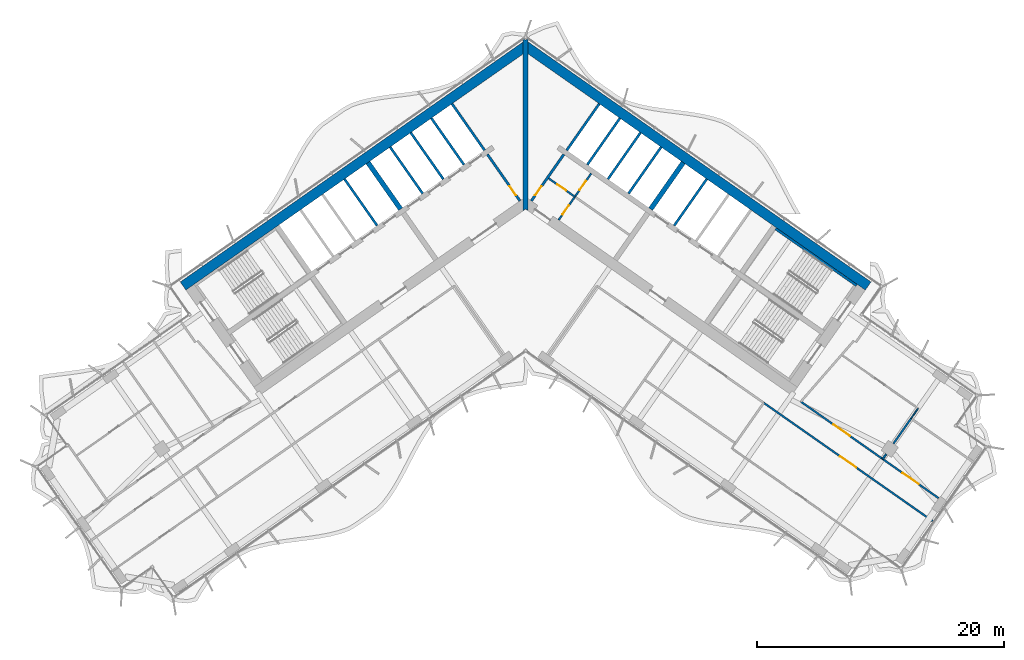
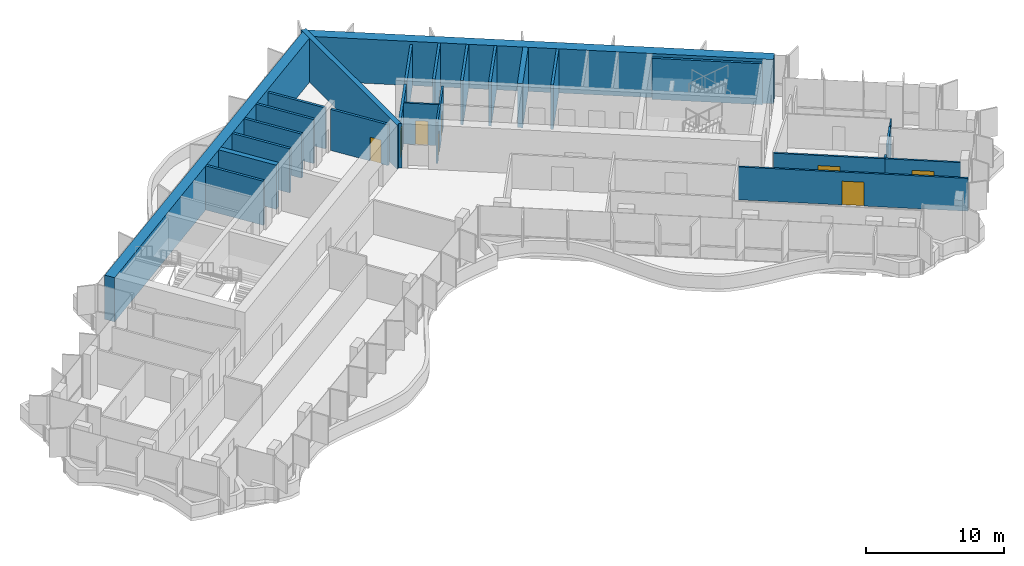
# One storey, part 14 of 21: 26 walls, 8 doors, 8 openings.
"""IFC4 building model written with IfcOpenShell, lengths in metres."""

from ifc_helpers import new_model, si_unit, direction, frame, frame_2d, origin, place, context, subcontext, project, spatial, polyline, rectangle, outline, extrude, material, layer, layer_set, type_object, element, fill, save


model = new_model("IFC4")

# Units and contexts
model_context = context("Model", 3, precision=1e-05, world=origin(), true_north=direction((0.0, 1.0)))
body_context = subcontext(model_context, "Body", "Model", "MODEL_VIEW")
ifc_project = project(units=[si_unit("LENGTHUNIT", "METRE"), si_unit("AREAUNIT", "SQUARE_METRE"), si_unit("VOLUMEUNIT", "CUBIC_METRE"), si_unit("PLANEANGLEUNIT", "RADIAN"), si_unit("MASSUNIT", "GRAM", prefix="KILO")], contexts=[model_context])

# Site, building, storey
site_placement = place(None, origin())
site = spatial("IfcSite", under=ifc_project, at=site_placement, CompositionType="ELEMENT")
building_placement = place(site_placement, origin())
building = spatial("IfcBuilding", under=site, at=building_placement, Name="Tel Ilan Convention Tower", CompositionType="ELEMENT")
storey_placement = place(building_placement, frame((0.0, 0.0, 159.300048828125)))
storey = spatial("IfcBuildingStorey", under=building, at=storey_placement, Name="L36", CompositionType="ELEMENT", Elevation=159.300048828125)

# Wall, openings, doors
ifc_material_1 = material(Name="Gypsum Plasterboard on Steel Stud", Category="steel")
ifc_layer_1 = layer(ifc_material_1, 0.14990234375)
ifc_layer_set_1 = layer_set([ifc_layer_1], Name="Core Room Partition Wall 150 mm EI 60")
wall_type_1 = type_object("IfcWallType", Name="Core Room Partition Wall 150 mm EI 60", PredefinedType="PARTITIONING", material=ifc_layer_set_1)
wall_1_placement = place(storey_placement, frame((2.67041015625, -2.114013671875, 0.0), z_axis=(0.0, 0.0, 1.0), x_axis=(0.573576324356, 0.819152122709, 0.0)))
wall_1 = element("IfcWall", 1, at=wall_1_placement, inside=storey, type_object=wall_type_1, Name="L36 core wall wc-v1", PredefinedType="PARTITIONING", context=body_context, shape_type="SweptSolid", body=[
    extrude(rectangle(XDim=4.599853515625, YDim=0.14990234375, at=frame_2d((2.2998046875, 0.0))), origin(), (0.0, 0.0, 1.0), 3.619873046875),
])
opening_1_placement = place(wall_1_placement, frame((0.550048828125, 0.0, 0.0)))
opening_1 = element("IfcOpeningElement", 2, at=opening_1_placement, cuts=wall_1, Name="Opening CD2809", PredefinedType="OPENING", context=body_context, shape_type="SweptSolid", body=[
    extrude(rectangle(XDim=0.89990234375, YDim=2.10009765625, at=frame_2d((0.449951171875, 1.050048828125))), frame((0.0, 0.0849609375, 0.0), z_axis=(0.0, -1.0, 0.0), x_axis=(1.0, 0.0, 0.0)), (0.0, 0.0, 1.0), 0.169921875),
])
opening_2_placement = place(wall_1_placement, frame((2.949951171875, 0.0, 0.0)))
opening_2 = element("IfcOpeningElement", 3, at=opening_2_placement, cuts=wall_1, Name="Opening CD2810", PredefinedType="OPENING", context=body_context, shape_type="SweptSolid", body=[
    extrude(rectangle(XDim=0.89990234375, YDim=2.10009765625, at=frame_2d((0.449951171875, 1.050048828125))), frame((0.0, 0.0849609375, 0.0), z_axis=(0.0, -1.0, 0.0), x_axis=(1.0, 0.0, 0.0)), (0.0, 0.0, 1.0), 0.169921875),
])
ifc_material_2 = material(Name="Laminated Timber Door Leaf", Category="wood")
door_type_1 = type_object("IfcDoorType", Name="Toilet Door 900 x 2100 FD30S", OperationType="NOTDEFINED", PredefinedType="DOOR", material=ifc_material_2)
door_1_placement = place(opening_1_placement, origin())
door_1 = element("IfcDoor", 4, at=door_1_placement, inside=storey, type_object=door_type_1, Name="Women's WC door", OperationType="SINGLE_SWING_RIGHT", OverallHeight=2.10009765625, OverallWidth=0.89990234375, PredefinedType="DOOR", context=body_context, shape_type="SweptSolid", body=[
    extrude(rectangle(XDim=0.89990234375, YDim=2.10009765625, at=frame_2d((0.449951171875, 1.050048828125))), frame((0.0, 0.02490234375, 0.0), z_axis=(0.0, -1.0, 0.0), x_axis=(1.0, 0.0, 0.0)), (0.0, 0.0, 1.0), 0.050048828125),
])
fill(opening_1, door_1)
door_2_placement = place(opening_2_placement, origin())
door_2 = element("IfcDoor", 5, at=door_2_placement, inside=storey, type_object=door_type_1, Name="Men's WC door", OperationType="SINGLE_SWING_RIGHT", OverallHeight=2.10009765625, OverallWidth=0.89990234375, PredefinedType="DOOR", context=body_context, shape_type="SweptSolid", body=[
    extrude(rectangle(XDim=0.89990234375, YDim=2.10009765625, at=frame_2d((0.449951171875, 1.050048828125))), frame((0.0, 0.02490234375, 0.0), z_axis=(0.0, -1.0, 0.0), x_axis=(1.0, 0.0, 0.0)), (0.0, 0.0, 1.0), 0.050048828125),
])
fill(opening_2, door_2)

# Wall, opening, door
wall_2_placement = place(storey_placement, frame((1.85986328125, 1.261474609375, 0.0), z_axis=(0.0, 0.0, 1.0), x_axis=(0.819103967032, -0.573645091666, 0.0)))
wall_2 = element("IfcWall", 6, at=wall_2_placement, inside=storey, type_object=wall_type_1, Name="L36 core wall wc-h1", PredefinedType="PARTITIONING", context=body_context, shape_type="SweptSolid", body=[
    extrude(rectangle(XDim=2.599853515625, YDim=0.14990234375, at=frame_2d((1.2998046875, 0.0))), origin(), (0.0, 0.0, 1.0), 3.619873046875),
])
opening_3_placement = place(wall_2_placement, frame((0.85009765625, 0.0, 0.0)))
opening_3 = element("IfcOpeningElement", 7, at=opening_3_placement, cuts=wall_2, Name="Opening CD2808", PredefinedType="OPENING", context=body_context, shape_type="SweptSolid", body=[
    extrude(rectangle(XDim=0.89990234375, YDim=2.10009765625, at=frame_2d((0.449951171875, 1.050048828125))), frame((0.0, 0.0849609375, 0.0), z_axis=(0.0, -1.0, 0.0), x_axis=(1.0, 0.0, 0.0)), (0.0, 0.0, 1.0), 0.169921875),
])
door_3_placement = place(opening_3_placement, origin())
door_3 = element("IfcDoor", 8, at=door_3_placement, inside=storey, type_object=door_type_1, Name="Accessible WC door", OperationType="SINGLE_SWING_RIGHT", OverallHeight=2.10009765625, OverallWidth=0.89990234375, PredefinedType="DOOR", context=body_context, shape_type="SweptSolid", body=[
    extrude(rectangle(XDim=0.89990234375, YDim=2.10009765625, at=frame_2d((0.449951171875, 1.050048828125))), frame((0.0, 0.02490234375, 0.0), z_axis=(0.0, -1.0, 0.0), x_axis=(1.0, 0.0, 0.0)), (0.0, 0.0, 1.0), 0.050048828125),
])
fill(opening_3, door_3)

ifc_material_3 = material(Name="Concrete C30/37", Category="concrete")
ifc_layer_2 = layer(ifc_material_3, 0.199951171875)
ifc_layer_set_2 = layer_set([ifc_layer_2], Name="Core Service Room Wall 200 mm C30/37")
wall_type_2 = type_object("IfcWallType", Name="Core Service Room Wall 200 mm C30/37", PredefinedType="SOLIDWALL", material=ifc_layer_set_2)
wall_3_placement = place(storey_placement, frame((-0.458740234375, -0.565185546875, 0.0), z_axis=(0.0, 0.0, 1.0), x_axis=(-0.573576324356, 0.819152122709, 0.0)))
wall_3 = element("IfcWall", 9, at=wall_3_placement, inside=storey, type_object=wall_type_2, Name="L36 core wall apex-W", PredefinedType="SOLIDWALL", context=body_context, shape_type="SweptSolid", body=[
    extrude(rectangle(XDim=4.599853515625, YDim=0.199951171875, at=frame_2d((2.2998046875, 0.0))), origin(), (0.0, 0.0, 1.0), 3.619873046875),
])
opening_4_placement = place(wall_3_placement, frame((0.550048828125, 0.0, 0.0)))
opening_4 = element("IfcOpeningElement", 10, at=opening_4_placement, cuts=wall_3, Name="Opening CD2802", PredefinedType="OPENING", context=body_context, shape_type="SweptSolid", body=[
    extrude(rectangle(XDim=0.89990234375, YDim=2.10009765625, at=frame_2d((0.449951171875, 1.050048828125))), frame((0.0, 0.10986328125, 0.0), z_axis=(0.0, -1.0, 0.0), x_axis=(1.0, 0.0, 0.0)), (0.0, 0.0, 1.0), 0.219970703125),
])
ifc_material_4 = material(Name="Galvanised Steel Door Leaf", Category="steel")
door_type_2 = type_object("IfcDoorType", Name="Service Room Door 900 x 2100 FD60", OperationType="NOTDEFINED", PredefinedType="DOOR", material=ifc_material_4)
door_4_placement = place(opening_4_placement, origin())
door_4 = element("IfcDoor", 11, at=door_4_placement, inside=storey, type_object=door_type_2, Name="Electrical Room door", OperationType="SINGLE_SWING_RIGHT", OverallHeight=2.10009765625, OverallWidth=0.89990234375, PredefinedType="DOOR", context=body_context, shape_type="SweptSolid", body=[
    extrude(rectangle(XDim=0.89990234375, YDim=2.10009765625, at=frame_2d((0.449951171875, 1.050048828125))), frame((0.0, 0.02490234375, 0.0), z_axis=(0.0, -1.0, 0.0), x_axis=(1.0, 0.0, 0.0)), (0.0, 0.0, 1.0), 0.050048828125),
])
fill(opening_4, door_4)

# Wall
wall_4_placement = place(storey_placement, frame((-3.32666015625, 3.530517578125, 0.0), z_axis=(0.0, 0.0, 1.0), x_axis=(-0.573576324356, 0.819152122709, 0.0)))
element("IfcWall", 12, at=wall_4_placement, inside=storey, type_object=wall_type_2, Name="L36 core wall apex-W-b", PredefinedType="SOLIDWALL", context=body_context, shape_type="SweptSolid", body=[
    extrude(rectangle(XDim=4.599853515625, YDim=0.199951171875, at=frame_2d((2.2998046875, 0.0))), origin(), (0.0, 0.0, 1.0), 3.619873046875),
])

# Wall, opening, door
wall_5_placement = place(storey_placement, frame((0.458740234375, -0.565185546875, 0.0), z_axis=(0.0, 0.0, 1.0), x_axis=(0.573576324356, 0.819152122709, 0.0)))
wall_5 = element("IfcWall", 13, at=wall_5_placement, inside=storey, type_object=wall_type_2, Name="L36 core wall apex-E", PredefinedType="SOLIDWALL", context=body_context, shape_type="SweptSolid", body=[
    extrude(rectangle(XDim=4.599853515625, YDim=0.199951171875, at=frame_2d((2.2998046875, 0.0))), origin(), (0.0, 0.0, 1.0), 3.619873046875),
])
opening_5_placement = place(wall_5_placement, frame((0.550048828125, 0.0, 0.0)))
opening_5 = element("IfcOpeningElement", 14, at=opening_5_placement, cuts=wall_5, Name="Opening CD2801", PredefinedType="OPENING", context=body_context, shape_type="SweptSolid", body=[
    extrude(rectangle(XDim=0.89990234375, YDim=2.10009765625, at=frame_2d((0.449951171875, 1.050048828125))), frame((0.0, 0.10986328125, 0.0), z_axis=(0.0, -1.0, 0.0), x_axis=(1.0, 0.0, 0.0)), (0.0, 0.0, 1.0), 0.219970703125),
])
door_5_placement = place(opening_5_placement, origin())
door_5 = element("IfcDoor", 15, at=door_5_placement, inside=storey, type_object=door_type_2, Name="Store Room door", OperationType="SINGLE_SWING_RIGHT", OverallHeight=2.10009765625, OverallWidth=0.89990234375, PredefinedType="DOOR", context=body_context, shape_type="SweptSolid", body=[
    extrude(rectangle(XDim=0.89990234375, YDim=2.10009765625, at=frame_2d((0.449951171875, 1.050048828125))), frame((0.0, 0.02490234375, 0.0), z_axis=(0.0, -1.0, 0.0), x_axis=(1.0, 0.0, 0.0)), (0.0, 0.0, 1.0), 0.050048828125),
])
fill(opening_5, door_5)

# Walls
wall_6_placement = place(storey_placement, frame((3.32666015625, 3.530517578125, 0.0), z_axis=(0.0, 0.0, 1.0), x_axis=(0.573576324356, 0.819152122709, 0.0)))
element("IfcWall", 16, at=wall_6_placement, inside=storey, type_object=wall_type_2, Name="L36 core wall apex-E-b", PredefinedType="SOLIDWALL", context=body_context, shape_type="SweptSolid", body=[
    extrude(rectangle(XDim=4.599853515625, YDim=0.199951171875, at=frame_2d((2.2998046875, 0.0))), origin(), (0.0, 0.0, 1.0), 3.619873046875),
])
ifc_material_5 = material(Name="Concrete C50/60", Category="concrete")
ifc_layer_3 = layer(ifc_material_5, 0.39990234375)
ifc_layer_set_3 = layer_set([ifc_layer_3], Name="Core Shear Wall 400 mm C50/60")
wall_type_3 = type_object("IfcWallType", Name="Core Shear Wall 400 mm C50/60", PredefinedType="SHEAR", material=ifc_layer_set_3)
wall_7_placement = place(storey_placement, frame((-10.12548828125, -1.230224609375, 0.0), z_axis=(0.0, 0.0, 1.0), x_axis=(-0.573576324356, 0.819152122709, 0.0)))
element("IfcWall", 17, at=wall_7_placement, inside=storey, type_object=wall_type_3, Name="L36 core wall W-cross1-2", PredefinedType="SHEAR", context=body_context, shape_type="SweptSolid", body=[
    extrude(outline(polyline([(4.60009765625, -0.199951171875), (4.599853515625, 0.199951171875), (0.0, 0.2001953125), (0.0, -0.199951171875), (4.60009765625, -0.199951171875)])), origin(), (0.0, 0.0, 1.0), 3.89990234375),
])
wall_8_placement = place(storey_placement, frame((10.12548828125, -1.230224609375, 0.0), z_axis=(0.0, 0.0, 1.0), x_axis=(0.573576324356, 0.819152122709, 0.0)))
element("IfcWall", 18, at=wall_8_placement, inside=storey, type_object=wall_type_3, Name="L36 core wall E-cross1-2", PredefinedType="SHEAR", context=body_context, shape_type="SweptSolid", body=[
    extrude(outline(polyline([(4.599853515625, -0.199951171875), (4.60009765625, 0.199951171875), (0.0, 0.199951171875), (0.0, -0.2001953125), (4.599853515625, -0.199951171875)])), origin(), (0.0, 0.0, 1.0), 3.89990234375),
])
wall_9_placement = place(storey_placement, frame((0.0, -1.36083984375, 0.0), z_axis=(0.0, 0.0, 1.0), x_axis=(0.0, 1.0, 0.0)))
element("IfcWall", 19, at=wall_9_placement, inside=storey, type_object=wall_type_3, Name="L36 core wall K-central", PredefinedType="SHEAR", context=body_context, shape_type="SweptSolid", body=[
    extrude(outline(polyline([(0.0, -0.199951171875), (0.14013671875, -0.199951171875), (1.0751953125, -0.199951171875), (12.696044921875, -0.199951171875), (13.812744140625, -0.199951171875), (13.893310546875, -0.199951171875), (13.933349609375, -0.172119140625), (13.812744140625, 0.0), (13.933349609375, 0.172119140625), (13.893310546875, 0.199951171875), (13.812744140625, 0.199951171875), (12.696044921875, 0.199951171875), (1.0751953125, 0.199951171875), (0.14013671875, 0.199951171875), (0.0, 0.199951171875), (0.14013671875, 0.0), (0.0, -0.199951171875)])), origin(), (0.0, 0.0, 1.0), 3.89990234375),
])
ifc_material_6 = material(Name="Concrete C50/60", Category="concrete")
ifc_layer_4 = layer(ifc_material_6, 0.800048828125)
ifc_layer_set_4 = layer_set([ifc_layer_4], Name="Core Shear Wall 800 mm C50/60")
wall_type_4 = type_object("IfcWallType", Name="Core Shear Wall 800 mm C50/60", PredefinedType="SHEAR", material=ifc_layer_set_4)
wall_10_placement = place(storey_placement, frame((0.029296875, 11.984130859375, 0.0), z_axis=(0.0, 0.0, 1.0), x_axis=(-0.819151382952, -0.573577380837, 0.0)))
element("IfcWall", 20, at=wall_10_placement, inside=storey, type_object=wall_type_4, Name="L36 core wall W-back", PredefinedType="SHEAR", context=body_context, shape_type="SweptSolid", body=[
    extrude(outline(polyline([(33.897705078125, 0.39990234375), (0.56005859375, 0.400146484375), (-0.000244140625, -0.39990234375), (33.897705078125, -0.400146484375), (33.897705078125, 0.39990234375)])), origin(), (0.0, 0.0, 1.0), 3.89990234375),
])
wall_11_placement = place(storey_placement, frame((-0.029296875, 11.984130859375, 0.0), z_axis=(0.0, 0.0, 1.0), x_axis=(0.819151382952, -0.573577380837, 0.0)))
element("IfcWall", 21, at=wall_11_placement, inside=storey, type_object=wall_type_4, Name="L36 core wall E-back", PredefinedType="SHEAR", context=body_context, shape_type="SweptSolid", body=[
    extrude(outline(polyline([(33.897705078125, 0.400146484375), (-0.000244140625, 0.39990234375), (0.56005859375, -0.400146484375), (33.897705078125, -0.39990234375), (33.897705078125, 0.400146484375)])), origin(), (0.0, 0.0, 1.0), 3.89990234375),
])

# Wall, opening, door
ifc_material_7 = material(Name="Plasterboard on Steel Studs", Category="steel")
ifc_layer_5 = layer(ifc_material_7, 0.14990234375)
ifc_layer_set_5 = layer_set([ifc_layer_5], Name="Fire-rated Partition 150 EI 60")
wall_type_5 = type_object("IfcWallType", Name="Fire-rated Partition 150 EI 60", PredefinedType="PARTITIONING", material=ifc_layer_set_5)
wall_12_placement = place(storey_placement, frame((22.283203125, -16.82373046875, 0.0), z_axis=(0.0, 0.0, 1.0), x_axis=(0.819158271121, -0.57356754341, 0.0)))
wall_12 = element("IfcWall", 22, at=wall_12_placement, inside=storey, type_object=wall_type_5, Name="Partition 001", PredefinedType="PARTITIONING", context=body_context, shape_type="SweptSolid", body=[
    extrude(rectangle(XDim=8.098876953125, YDim=0.14990234375, at=frame_2d((4.04931640625, 0.0))), origin(), (0.0, 0.0, 1.0), 3.0),
])
opening_6_placement = place(wall_12_placement, frame((3.24951171875, 0.0, 0.0)))
opening_6 = element("IfcOpeningElement", 23, at=opening_6_placement, cuts=wall_12, Name="Opening L36-014", PredefinedType="OPENING", context=body_context, shape_type="SweptSolid", body=[
    extrude(rectangle(XDim=1.60009765625, YDim=2.10009765625, at=frame_2d((0.800048828125, 1.050048828125))), frame((0.0, 0.0849609375, 0.0), z_axis=(0.0, -1.0, 0.0), x_axis=(1.0, 0.0, 0.0)), (0.0, 0.0, 1.0), 0.169921875),
])
ifc_material_8 = material(Name="Timber Door Leaf in Steel Frame", Category="steel")
door_type_3 = type_object("IfcDoorType", Name="Tenant Suite Entrance Fire Door 1600x2100", OperationType="NOTDEFINED", PredefinedType="DOOR", material=ifc_material_8)
door_6_placement = place(opening_6_placement, origin())
door_6 = element("IfcDoor", 24, at=door_6_placement, inside=storey, type_object=door_type_3, Name="Door L36-014", OperationType="DOUBLE_DOOR_SINGLE_SWING", OverallHeight=2.10009765625, OverallWidth=1.60009765625, PredefinedType="DOOR", context=body_context, shape_type="SweptSolid", body=[
    extrude(rectangle(XDim=1.60009765625, YDim=2.10009765625, at=frame_2d((0.800048828125, 1.050048828125))), frame((0.0, 0.02490234375, 0.0), z_axis=(0.0, -1.0, 0.0), x_axis=(1.0, 0.0, 0.0)), (0.0, 0.0, 1.0), 0.050048828125),
])
fill(opening_6, door_6)

wall_13_placement = place(storey_placement, frame((28.914306640625, -21.466796875, 0.0), z_axis=(0.0, 0.0, 1.0), x_axis=(0.819142757108, -0.573589699592, 0.0)))
wall_13 = element("IfcWall", 25, at=wall_13_placement, inside=storey, type_object=wall_type_5, Name="Partition 002", PredefinedType="PARTITIONING", context=body_context, shape_type="SweptSolid", body=[
    extrude(rectangle(XDim=5.531982421875, YDim=0.14990234375, at=frame_2d((2.76611328125, 0.0))), origin(), (0.0, 0.0, 1.0), 3.0),
])
opening_7_placement = place(wall_13_placement, frame((1.966064453125, 0.0, 0.0)))
opening_7 = element("IfcOpeningElement", 26, at=opening_7_placement, cuts=wall_13, Name="Opening L36-016", PredefinedType="OPENING", context=body_context, shape_type="SweptSolid", body=[
    extrude(rectangle(XDim=1.60009765625, YDim=2.10009765625, at=frame_2d((0.800048828125, 1.050048828125))), frame((0.0, 0.0849609375, 0.0), z_axis=(0.0, -1.0, 0.0), x_axis=(1.0, 0.0, 0.0)), (0.0, 0.0, 1.0), 0.169921875),
])
door_7_placement = place(opening_7_placement, origin())
door_7 = element("IfcDoor", 27, at=door_7_placement, inside=storey, type_object=door_type_3, Name="Door L36-016", OperationType="DOUBLE_DOOR_SINGLE_SWING", OverallHeight=2.10009765625, OverallWidth=1.60009765625, PredefinedType="DOOR", context=body_context, shape_type="SweptSolid", body=[
    extrude(rectangle(XDim=1.60009765625, YDim=2.10009765625, at=frame_2d((0.800048828125, 1.050048828125))), frame((0.0, 0.02490234375, 0.0), z_axis=(0.0, -1.0, 0.0), x_axis=(1.0, 0.0, 0.0)), (0.0, 0.0, 1.0), 0.050048828125),
])
fill(opening_7, door_7)

wall_14_placement = place(storey_placement, frame((32.962158203125, -26.49853515625, 0.0), z_axis=(0.0, 0.0, 1.0), x_axis=(-0.819151565135, 0.573577120654, 0.0)))
wall_14 = element("IfcWall", 28, at=wall_14_placement, inside=storey, type_object=wall_type_5, Name="Partition 005", PredefinedType="PARTITIONING", context=body_context, shape_type="SweptSolid", body=[
    extrude(rectangle(XDim=16.701904296875, YDim=0.14990234375, at=frame_2d((8.35107421875, 0.0))), origin(), (0.0, 0.0, 1.0), 2.89990234375),
])
opening_8_placement = place(wall_14_placement, frame((7.551025390625, 0.0, 0.0)))
opening_8 = element("IfcOpeningElement", 29, at=opening_8_placement, cuts=wall_14, Name="Opening L36-012", PredefinedType="OPENING", context=body_context, shape_type="SweptSolid", body=[
    extrude(rectangle(XDim=1.60009765625, YDim=2.10009765625, at=frame_2d((0.800048828125, 1.050048828125))), frame((0.0, 0.0849609375, 0.0), z_axis=(0.0, -1.0, 0.0), x_axis=(1.0, 0.0, 0.0)), (0.0, 0.0, 1.0), 0.169921875),
])
door_8_placement = place(opening_8_placement, origin())
door_8 = element("IfcDoor", 30, at=door_8_placement, inside=storey, type_object=door_type_3, Name="Door L36-012", OperationType="DOUBLE_DOOR_SINGLE_SWING", OverallHeight=2.10009765625, OverallWidth=1.60009765625, PredefinedType="DOOR", context=body_context, shape_type="SweptSolid", body=[
    extrude(rectangle(XDim=1.60009765625, YDim=2.10009765625, at=frame_2d((0.800048828125, 1.050048828125))), frame((0.0, 0.02490234375, 0.0), z_axis=(0.0, -1.0, 0.0), x_axis=(1.0, 0.0, 0.0)), (0.0, 0.0, 1.0), 0.050048828125),
])
fill(opening_8, door_8)

# Walls
wall_15_placement = place(storey_placement, frame((31.21142578125, -18.189697265625, 0.0), z_axis=(0.0, 0.0, 1.0), x_axis=(-0.573620761779, -0.819121005503, 0.0)))
element("IfcWall", 31, at=wall_15_placement, inside=storey, type_object=wall_type_5, Name="Partition 018", PredefinedType="PARTITIONING", context=body_context, shape_type="SweptSolid", body=[
    extrude(rectangle(XDim=2.482177734375, YDim=0.14990234375, at=frame_2d((1.2412109375, 0.0))), origin(), (0.0, 0.0, 1.0), 3.0),
])
wall_16_placement = place(storey_placement, frame((29.191162109375, -21.07470703125, 0.0), z_axis=(0.0, 0.0, 1.0), x_axis=(-0.57322336738, -0.819399152483, 0.0)))
element("IfcWall", 32, at=wall_16_placement, inside=storey, type_object=wall_type_5, Name="Partition 019", PredefinedType="PARTITIONING", context=body_context, shape_type="SweptSolid", body=[
    extrude(rectangle(XDim=0.47998046875, YDim=0.14990234375, at=frame_2d((0.239990234375, 0.0))), origin(), (0.0, 0.0, 1.0), 3.0),
])
ifc_material_9 = material(Name="Concrete C30/37", Category="concrete")
ifc_layer_6 = layer(ifc_material_9, 0.199951171875)
ifc_layer_set_6 = layer_set([ifc_layer_6], Name="Lift Shaft Wall 200 mm C30/37")
wall_type_6 = type_object("IfcWallType", Name="Lift Shaft Wall 200 mm C30/37", PredefinedType="SOLIDWALL", material=ifc_layer_set_6)
for number, where, z_axis, x_axis, name in (
    (33, (-4.99560546875, 2.36181640625, 0.0), (0.0, 0.0, 1.0), (-0.573576324356, 0.819152122709, 0.0), "L36 core wall bank-W1-p0"),
    (34, (-6.66455078125, 1.193115234375, 0.0), (0.0, 0.0, 1.0), (-0.573576324356, 0.819152122709, 0.0), "L36 core wall bank-W1-p1"),
):
    element("IfcWall", number, at=place(storey_placement, frame(where, z_axis=z_axis, x_axis=x_axis)), inside=storey, type_object=wall_type_6, Name=name, PredefinedType="SOLIDWALL", context=body_context, shape_type="SweptSolid", body=[
        extrude(rectangle(XDim=4.599853515625, YDim=0.199951171875, at=frame_2d((2.2998046875, 0.0))), origin(), (0.0, 0.0, 1.0), 3.89990234375),
    ])
wall_17_placement = place(storey_placement, frame((-8.33349609375, 0.0244140625, 0.0), z_axis=(0.0, 0.0, 1.0), x_axis=(-0.573611936273, 0.819127185829, 0.0)))
element("IfcWall", 35, at=wall_17_placement, inside=storey, type_object=wall_type_6, Name="L36 core wall bank-W1-p2", PredefinedType="SOLIDWALL", context=body_context, shape_type="SweptSolid", body=[
    extrude(rectangle(XDim=4.60009765625, YDim=0.199951171875, at=frame_2d((2.300048828125, 0.0))), origin(), (0.0, 0.0, 1.0), 3.89990234375),
])
for number, where, z_axis, x_axis, name in (
    (36, (-12.030029296875, -2.563720703125, 0.0), (0.0, 0.0, 1.0), (-0.573576324356, 0.819152122709, 0.0), "L36 core wall bank-W2-p0"),
    (37, (4.99560546875, 2.36181640625, 0.0), (0.0, 0.0, 1.0), (0.573576324356, 0.819152122709, 0.0), "L36 core wall bank-E1-p0"),
    (38, (6.66455078125, 1.193115234375, 0.0), (0.0, 0.0, 1.0), (0.573576324356, 0.819152122709, 0.0), "L36 core wall bank-E1-p1"),
):
    element("IfcWall", number, at=place(storey_placement, frame(where, z_axis=z_axis, x_axis=x_axis)), inside=storey, type_object=wall_type_6, Name=name, PredefinedType="SOLIDWALL", context=body_context, shape_type="SweptSolid", body=[
        extrude(rectangle(XDim=4.599853515625, YDim=0.199951171875, at=frame_2d((2.2998046875, 0.0))), origin(), (0.0, 0.0, 1.0), 3.89990234375),
    ])
wall_18_placement = place(storey_placement, frame((8.33349609375, 0.0244140625, 0.0), z_axis=(0.0, 0.0, 1.0), x_axis=(0.573611936273, 0.819127185829, 0.0)))
element("IfcWall", 39, at=wall_18_placement, inside=storey, type_object=wall_type_6, Name="L36 core wall bank-E1-p2", PredefinedType="SOLIDWALL", context=body_context, shape_type="SweptSolid", body=[
    extrude(rectangle(XDim=4.60009765625, YDim=0.199951171875, at=frame_2d((2.300048828125, 0.0))), origin(), (0.0, 0.0, 1.0), 3.89990234375),
])
wall_19_placement = place(storey_placement, frame((12.030029296875, -2.563720703125, 0.0), z_axis=(0.0, 0.0, 1.0), x_axis=(0.573576324356, 0.819152122709, 0.0)))
element("IfcWall", 40, at=wall_19_placement, inside=storey, type_object=wall_type_6, Name="L36 core wall bank-E2-p0", PredefinedType="SOLIDWALL", context=body_context, shape_type="SweptSolid", body=[
    extrude(rectangle(XDim=4.599853515625, YDim=0.199951171875, at=frame_2d((2.2998046875, 0.0))), origin(), (0.0, 0.0, 1.0), 3.89990234375),
])
ifc_material_10 = material(Name="Plasterboard on Steel Studs", Category="steel")
ifc_layer_7 = layer(ifc_material_10, 0.10009765625)
ifc_layer_set_7 = layer_set([ifc_layer_7], Name="Plasterboard Partition 100")
wall_type_7 = type_object("IfcWallType", Name="Plasterboard Partition 100", PredefinedType="PARTITIONING", material=ifc_layer_set_7)
wall_20_placement = place(storey_placement, frame((31.784423828125, -17.371337890625, 0.0), z_axis=(0.0, 0.0, 1.0), x_axis=(-0.573708088123, -0.819059844958, 0.0)))
element("IfcWall", 41, at=wall_20_placement, inside=storey, type_object=wall_type_7, Name="Partition 013", PredefinedType="PARTITIONING", context=body_context, shape_type="SweptSolid", body=[
    extrude(rectangle(XDim=1.0, YDim=0.10009765625, at=frame_2d((0.5, 0.0))), origin(), (0.0, 0.0, 1.0), 3.0),
])
ifc_material_11 = material(Name="Concrete C30/37", Category="concrete")
ifc_layer_8 = layer(ifc_material_11, 0.199951171875)
ifc_layer_set_8 = layer_set([ifc_layer_8], Name="Stair and Shaft Lining Wall 200 mm C30/37")
wall_type_8 = type_object("IfcWallType", Name="Stair and Shaft Lining Wall 200 mm C30/37", PredefinedType="SOLIDWALL", material=ifc_layer_set_8)
wall_21_placement = place(storey_placement, frame((20.242919921875, -2.821044921875, 0.0), z_axis=(0.0, 0.0, 1.0), x_axis=(0.819141584393, -0.57359137434, 0.0)))
element("IfcWall", 42, at=wall_21_placement, inside=storey, type_object=wall_type_8, Name="L36 core wall lining-S3-t1", PredefinedType="SOLIDWALL", context=body_context, shape_type="SweptSolid", body=[
    extrude(rectangle(XDim=7.999755859375, YDim=0.199951171875, at=frame_2d((4.0, 0.0))), origin(), (0.0, 0.0, 1.0), 3.619873046875),
])

save(model, "model.ifc")
